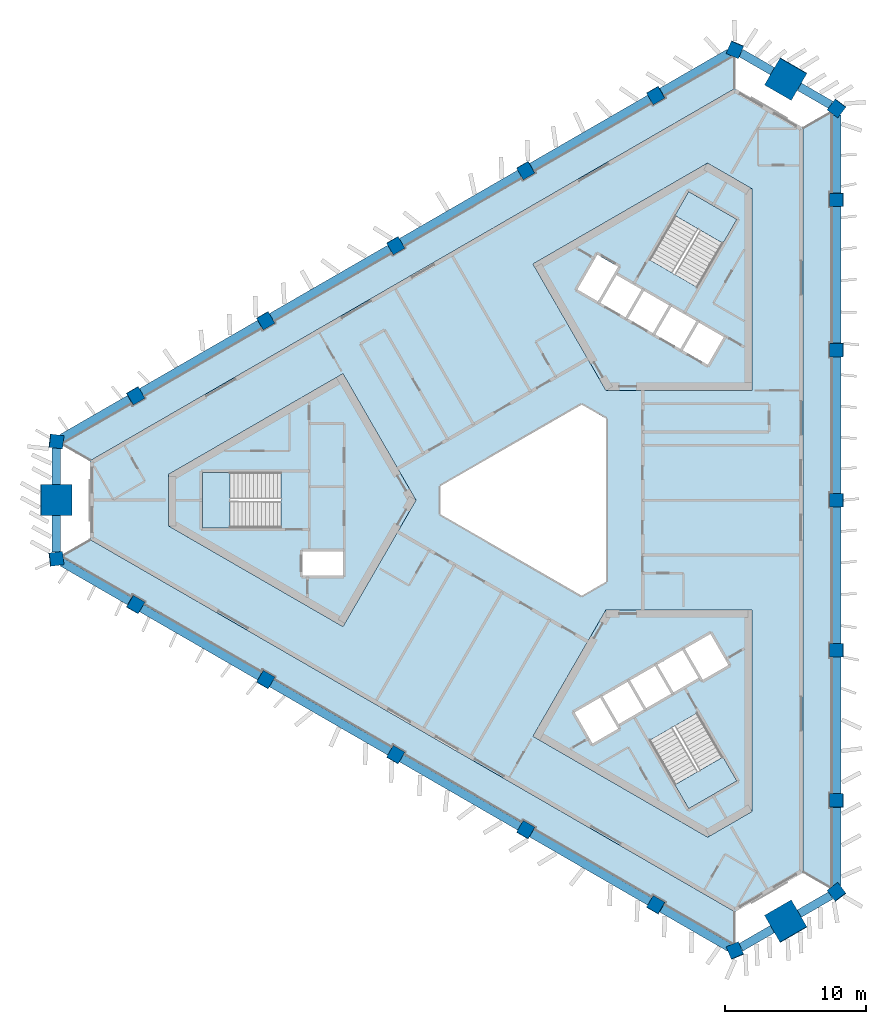
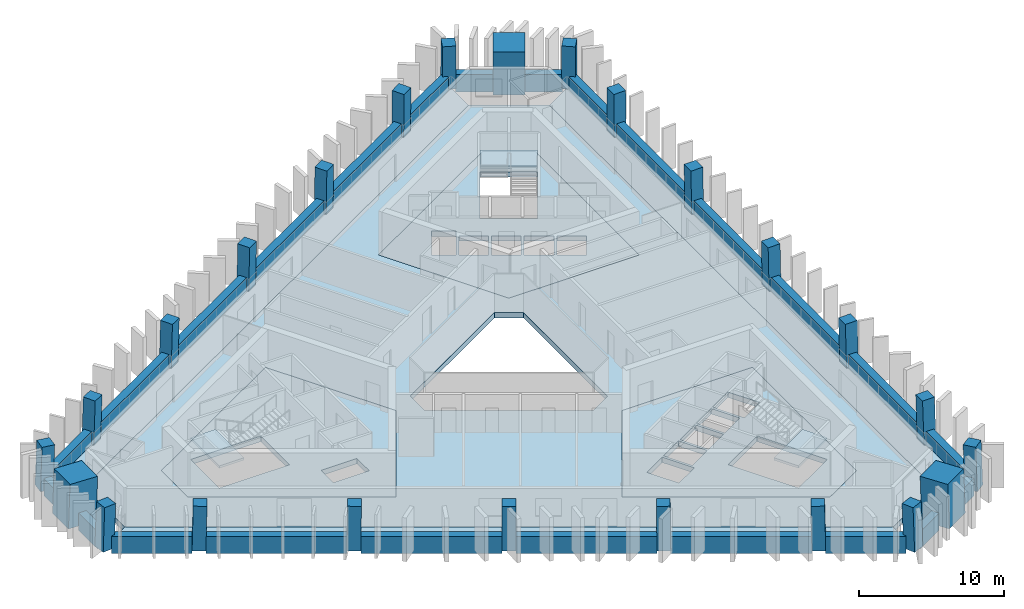
# One storey, part 1 of 9: 24 beams, 24 columns, 10 slabs, 3 elements without a shape of their own.
"""IFC4 building model written with IfcOpenShell, lengths in metres."""

from ifc_helpers import new_model, si_unit, direction, frame, origin, origin_2d, place, context, subcontext, project, spatial, polyline, rectangle, outline, extrude, material, layer, layer_set, material_profile, profile_set, type_object, element, aggregate, save


model = new_model("IFC4")

# Units and contexts
model_context = context("Model", 3, precision=1e-05, world=origin(), true_north=direction((0.0, 1.0)))
body_context = subcontext(model_context, "Body", "Model", "MODEL_VIEW")
ifc_project = project(units=[si_unit("LENGTHUNIT", "METRE"), si_unit("AREAUNIT", "SQUARE_METRE"), si_unit("VOLUMEUNIT", "CUBIC_METRE"), si_unit("PLANEANGLEUNIT", "RADIAN"), si_unit("MASSUNIT", "GRAM", prefix="KILO")], contexts=[model_context])

# Site, building, storey
site_placement = place(None, origin())
site = spatial("IfcSite", under=ifc_project, at=site_placement, CompositionType="ELEMENT")
building_placement = place(site_placement, origin())
building = spatial("IfcBuilding", under=site, at=building_placement, Name="Jabali Bay Hotel Tower and Convention Centre", CompositionType="ELEMENT")
storey_placement = place(building_placement, frame((0.0, 0.0, 185.89990234375)))
storey = spatial("IfcBuildingStorey", under=building, at=storey_placement, Name="L45", CompositionType="ELEMENT", Elevation=185.89990234375)

# Columns
ifc_material_1 = material(Name="Concrete C60", Category="concrete")
ifc_material_profile_1 = material_profile(ifc_material_1, rectangle(XDim=0.949951171875, YDim=0.949951171875, at=origin_2d()), Name="Frame column 950")
ifc_profile_set_1 = profile_set([ifc_material_profile_1], Name="Concrete C60")
column_type_1 = type_object("IfcColumnType", Name="Frame column 950", PredefinedType="COLUMN", material=ifc_profile_set_1)
column_1_placement = place(storey_placement, frame((83.04248046875, 108.779541015625, 0.0), z_axis=(-0.008375902173, -0.028161497857, 0.999568293966), x_axis=(0.865853502454, 0.499842384621, 0.021337826144)))
element("IfcColumn", 1, at=column_1_placement, inside=storey, type_object=column_type_1, Name="FC4 F1.1 L45", PredefinedType="COLUMN", context=body_context, shape_type="SweptSolid", body=[
    extrude(rectangle(XDim=0.949951171875, YDim=0.949951171875, at=origin_2d()), origin(), (0.0, 0.0, 1.0), 3.701904296875),
])
column_2_placement = place(storey_placement, frame((73.795654296875, 103.44091796875, 0.0), z_axis=(0.000857522362, -0.02282328747, 0.99973914708), x_axis=(0.866060219166, 0.499825864794, 0.010667786116)))
element("IfcColumn", 2, at=column_2_placement, inside=storey, type_object=column_type_1, Name="FC4 F1.2 L45", PredefinedType="COLUMN", context=body_context, shape_type="SweptSolid", body=[
    extrude(rectangle(XDim=0.949951171875, YDim=0.949951171875, at=origin_2d()), origin(), (0.0, 0.0, 1.0), 3.701171875),
])
column_3_placement = place(storey_placement, frame((64.548828125, 98.10205078125, 0.0), z_axis=(0.010092954999, -0.017481261926, 0.999796248113), x_axis=(-0.499897099477, 0.865849541015, 0.020185694417)))
element("IfcColumn", 3, at=column_3_placement, inside=storey, type_object=column_type_1, Name="FC4 F1.3 L45", PredefinedType="COLUMN", context=body_context, shape_type="SweptSolid", body=[
    extrude(rectangle(XDim=0.949951171875, YDim=0.949951171875, at=origin_2d()), origin(), (0.0, 0.0, 1.0), 3.700927734375),
])
column_4_placement = place(storey_placement, frame((55.3017578125, 92.763427734375, 0.0), z_axis=(0.019327242333, -0.012137244332, 0.999739538582), x_axis=(-0.500214328423, 0.865666448646, 0.020179824807)))
element("IfcColumn", 4, at=column_4_placement, inside=storey, type_object=column_type_1, Name="FC4 F1.4 L45", PredefinedType="COLUMN", context=body_context, shape_type="SweptSolid", body=[
    extrude(rectangle(XDim=0.949951171875, YDim=0.949951171875, at=origin_2d()), origin(), (0.0, 0.0, 1.0), 3.701171875),
])
for number, where, z_axis, x_axis, name in (
    (5, (46.054931640625, 87.4248046875, 0.0), (0.028557219273, -0.006859008786, 0.999568626571), (-0.498515256127, 0.866645794777, 0.020189249707), "FC4 F1.5 L45"),
    (6, (46.054931640625, 72.5751953125, 0.0), (0.028557219273, 0.006859008786, 0.999568626571), (-0.86641042505, 0.498876758723, 0.021329673472), "FC4 F2.1 L45"),
):
    element("IfcColumn", number, at=place(storey_placement, frame(where, z_axis=z_axis, x_axis=x_axis)), inside=storey, type_object=column_type_1, Name=name, PredefinedType="COLUMN", context=body_context, shape_type="SweptSolid", body=[
        extrude(rectangle(XDim=0.949951171875, YDim=0.949951171875, at=origin_2d()), origin(), (0.0, 0.0, 1.0), 3.701904296875),
    ])
column_5_placement = place(storey_placement, frame((55.3017578125, 67.236572265625, 0.0), z_axis=(0.019327242333, 0.012137244332, 0.999739538582), x_axis=(-0.865685903399, 0.500474062253, 0.01065972171)))
element("IfcColumn", 7, at=column_5_placement, inside=storey, type_object=column_type_1, Name="FC4 F2.2 L45", PredefinedType="COLUMN", context=body_context, shape_type="SweptSolid", body=[
    extrude(rectangle(XDim=0.949951171875, YDim=0.949951171875, at=origin_2d()), origin(), (0.0, 0.0, 1.0), 3.701171875),
])
column_6_placement = place(storey_placement, frame((64.548828125, 61.89794921875, 0.0), z_axis=(0.010092954999, 0.017481261926, 0.999796248113), x_axis=(-0.866025993948, 0.499998977805, 1.48321e-07)))
element("IfcColumn", 8, at=column_6_placement, inside=storey, type_object=column_type_1, Name="FC4 F2.3 L45", PredefinedType="COLUMN", context=body_context, shape_type="SweptSolid", body=[
    extrude(rectangle(XDim=0.949951171875, YDim=0.949951171875, at=origin_2d()), origin(), (0.0, 0.0, 1.0), 3.700927734375),
])
column_7_placement = place(storey_placement, frame((73.795654296875, 56.55908203125, 0.0), z_axis=(0.000857522362, 0.02282328747, 0.99973914708), x_axis=(-0.499938957707, -0.865825156964, 0.020194953204)))
element("IfcColumn", 9, at=column_7_placement, inside=storey, type_object=column_type_1, Name="FC4 F2.4 L45", PredefinedType="COLUMN", context=body_context, shape_type="SweptSolid", body=[
    extrude(rectangle(XDim=0.949951171875, YDim=0.949951171875, at=origin_2d()), origin(), (0.0, 0.0, 1.0), 3.701171875),
])
for number, where, z_axis, x_axis, name in (
    (10, (83.04248046875, 51.220458984375, 0.0), (-0.008375902173, 0.028161497857, 0.999568293966), (-0.500227504793, -0.865658431816, 0.020197100638), "FC4 F2.5 L45"),
    (11, (95.902587890625, 58.64501953125, 0.0), (-0.020181300839, 0.021368436182, 0.999567959186), (-0.001315263592, -0.99977127817, 0.021346227466), "FC4 F0.1 L45"),
):
    element("IfcColumn", number, at=place(storey_placement, frame(where, z_axis=z_axis, x_axis=x_axis)), inside=storey, type_object=column_type_1, Name=name, PredefinedType="COLUMN", context=body_context, shape_type="SweptSolid", body=[
        extrude(rectangle(XDim=0.949951171875, YDim=0.949951171875, at=origin_2d()), origin(), (0.0, 0.0, 1.0), 3.701904296875),
    ])
column_8_placement = place(storey_placement, frame((95.902587890625, 69.322509765625, 0.0), z_axis=(-0.020184757346, 0.010686048007, 0.999739157955), x_axis=(-0.001023362508, -0.999942576291, 0.010667560599)))
element("IfcColumn", 12, at=column_8_placement, inside=storey, type_object=column_type_1, Name="FC4 F0.2 L45", PredefinedType="COLUMN", context=body_context, shape_type="SweptSolid", body=[
    extrude(rectangle(XDim=0.949951171875, YDim=0.949951171875, at=origin_2d()), origin(), (0.0, 0.0, 1.0), 3.701171875),
])
column_9_placement = place(storey_placement, frame((95.902587890625, 80.0, 0.0), z_axis=(-0.02018590991, 0.0, 0.999796243762), x_axis=(0.0, -1.0, 0.0)))
element("IfcColumn", 13, at=column_9_placement, inside=storey, type_object=column_type_1, Name="FC4 F0.3 L45", PredefinedType="COLUMN", context=body_context, shape_type="SweptSolid", body=[
    extrude(rectangle(XDim=0.949951171875, YDim=0.949951171875, at=origin_2d()), origin(), (0.0, 0.0, 1.0), 3.700927734375),
])
column_10_placement = place(storey_placement, frame((95.902587890625, 90.677490234375, 0.0), z_axis=(-0.020184757346, -0.010686048007, 0.999739157955), x_axis=(0.99979574329, 0.00080777345, 0.020194533963)))
element("IfcColumn", 14, at=column_10_placement, inside=storey, type_object=column_type_1, Name="FC4 F0.4 L45", PredefinedType="COLUMN", context=body_context, shape_type="SweptSolid", body=[
    extrude(rectangle(XDim=0.949951171875, YDim=0.949951171875, at=origin_2d()), origin(), (0.0, 0.0, 1.0), 3.701171875),
])
column_11_placement = place(storey_placement, frame((95.902587890625, 101.35498046875, 0.0), z_axis=(-0.020181300839, -0.021368436182, 0.999567959186), x_axis=(0.999795471673, 0.000883900706, 0.020204790061)))
element("IfcColumn", 15, at=column_11_placement, inside=storey, type_object=column_type_1, Name="FC4 F0.5 L45", PredefinedType="COLUMN", context=body_context, shape_type="SweptSolid", body=[
    extrude(rectangle(XDim=0.949951171875, YDim=0.949951171875, at=origin_2d()), origin(), (0.0, 0.0, 1.0), 3.701904296875),
])
for number, where, z_axis, x_axis, name in (
    (16, (95.902587890625, 52.1396484375, 0.0), (-0.020177412175, 0.029013272408, 0.999375355941), (-0.800007185645, -0.599989082601, 0.001266362994), "FC4 V0 L45"),
    (17, (95.902587890625, 107.8603515625, 0.0), (-0.020177412175, -0.029013272408, 0.999375355941), (0.59965104432, 0.799481913982, 0.035317053425), "FC4 V1 L45"),
    (18, (88.676513671875, 112.0322265625, 0.0), (-0.01503415113, -0.031980540781, 0.999375414602), (0.919640861257, -0.392758301091, 0.001266187671), "FC4 V2 L45"),
    (19, (40.4208984375, 84.171875, 0.0), (0.035211566633, -0.002967266851, 0.999375475436), (-0.992196968265, 0.119574748949, 0.035313674106), "FC4 V3 L45"),
    (20, (40.4208984375, 75.828125, 0.0), (0.035211566633, 0.002967266851, 0.999375475436), (-0.119604856675, 0.992820766675, 0.001266301067), "FC4 V4 L45"),
    (21, (88.676513671875, 47.9677734375, 0.0), (-0.01503415113, 0.031980540781, 0.999375414602), (0.392472496625, -0.91908550306, 0.035315399724), "FC4 V5 L45"),
):
    element("IfcColumn", number, at=place(storey_placement, frame(where, z_axis=z_axis, x_axis=x_axis)), inside=storey, type_object=column_type_1, Name=name, PredefinedType="COLUMN", context=body_context, shape_type="SweptSolid", body=[
        extrude(rectangle(XDim=0.949951171875, YDim=0.949951171875, at=origin_2d()), origin(), (0.0, 0.0, 1.0), 3.702392578125),
    ])
ifc_material_2 = material(Name="Concrete C70", Category="concrete")
ifc_material_profile_2 = material_profile(ifc_material_2, rectangle(XDim=2.199951171875, YDim=2.199951171875, at=origin_2d()), Name="Mega column 2200")
ifc_profile_set_2 = profile_set([ifc_material_profile_2], Name="Concrete C70")
column_type_2 = type_object("IfcColumnType", Name="Mega column 2200", PredefinedType="COLUMN", material=ifc_profile_set_2)
for number, where, z_axis, x_axis, name in (
    (22, (92.28955078125, 109.9462890625, 0.0), (-0.017605877014, -0.030464101799, 0.99938079409), (0.865814309162, -0.500365448498, 2.3643e-07), "MC4 M1 L45"),
    (23, (40.4208984375, 80.0, 0.0), (0.035211721647, 0.0, 0.999379875052), (0.0, 1.0, 0.0), "MC4 M0 L45"),
    (24, (92.28955078125, 50.0537109375, 0.0), (-0.017605877014, 0.030464101799, 0.99938079409), (0.500055612053, -0.865278195987, 0.035185627802), "MC4 M2 L45"),
):
    element("IfcColumn", number, at=place(storey_placement, frame(where, z_axis=z_axis, x_axis=x_axis)), inside=storey, type_object=column_type_2, Name=name, PredefinedType="COLUMN", context=body_context, shape_type="SweptSolid", body=[
        extrude(rectangle(XDim=2.199951171875, YDim=2.199951171875, at=origin_2d()), origin(), (0.0, 0.0, 1.0), 3.702392578125),
    ])

# Beams
ifc_material_profile_3 = material_profile(ifc_material_1, rectangle(XDim=0.60009765625, YDim=1.449951171875, at=origin_2d()), Name="Spandrel 600x1450")
ifc_profile_set_3 = profile_set([ifc_material_profile_3], Name="Concrete C60")
beam_type = type_object("IfcBeamType", Name="Spandrel 600x1450", PredefinedType="SPANDREL", material=ifc_profile_set_3)
beam_1_placement = place(storey_placement, frame((91.330322265625, 110.48486328125, 0.375), z_axis=(-0.866035229914, 0.499982980259, 0.0), x_axis=(-0.499982980259, -0.866035229914, 0.0)))
element("IfcBeam", 25, at=beam_1_placement, inside=storey, type_object=beam_type, Name="Spandrel M1-V2 L45", PredefinedType="SPANDREL", context=body_context, shape_type="SweptSolid", body=[
    extrude(rectangle(XDim=0.60009765625, YDim=1.449951171875, at=origin_2d()), origin(), (0.0, 0.0, 1.0), 2.595703125),
])
beam_2_placement = place(storey_placement, frame((88.259521484375, 111.78271484375, 0.375), z_axis=(-0.866045741393, -0.499964772574, 0.0), x_axis=(0.499964772574, -0.866045741393, 0.0)))
element("IfcBeam", 26, at=beam_2_placement, inside=storey, type_object=beam_type, Name="Spandrel V2-F1.1 L45", PredefinedType="SPANDREL", context=body_context, shape_type="SweptSolid", body=[
    extrude(rectangle(XDim=0.60009765625, YDim=1.449951171875, at=origin_2d()), origin(), (0.0, 0.0, 1.0), 5.552734375),
])
beam_3_placement = place(storey_placement, frame((82.628173828125, 108.531494140625, 0.375), z_axis=(-0.866025028533, -0.500000649954, 0.0), x_axis=(0.500000649954, -0.866025028533, 0.0)))
element("IfcBeam", 27, at=beam_3_placement, inside=storey, type_object=beam_type, Name="Spandrel F1.1-F1.2 L45", PredefinedType="SPANDREL", context=body_context, shape_type="SweptSolid", body=[
    extrude(rectangle(XDim=0.60009765625, YDim=1.449951171875, at=origin_2d()), origin(), (0.0, 0.0, 1.0), 9.7236328125),
])
for number, where, z_axis, x_axis, name in (
    (28, (73.384521484375, 103.19482421875, 0.375), (-0.866018751313, -0.500011522242, 0.0), (0.500011522242, -0.866018751313, 0.0), "Spandrel F1.2-F1.3 L45"),
    (29, (64.14111328125, 97.858154296875, 0.375), (-0.866018751313, -0.500011522242, 0.0), (0.500011522242, -0.866018751313, 0.0), "Spandrel F1.3-F1.4 L45"),
    (30, (54.897705078125, 92.521240234375, 0.375), (-0.86602962373, -0.499992690769, 0.0), (0.499992690769, -0.86602962373, 0.0), "Spandrel F1.4-F1.5 L45"),
):
    element("IfcBeam", number, at=place(storey_placement, frame(where, z_axis=z_axis, x_axis=x_axis)), inside=storey, type_object=beam_type, Name=name, PredefinedType="SPANDREL", context=body_context, shape_type="SweptSolid", body=[
        extrude(rectangle(XDim=0.60009765625, YDim=1.449951171875, at=origin_2d()), origin(), (0.0, 0.0, 1.0), 9.723388671875),
    ])
beam_4_placement = place(storey_placement, frame((45.654296875, 87.1845703125, 0.375), z_axis=(-0.866045741393, -0.499964772574, 0.0), x_axis=(0.499964772574, -0.866045741393, 0.0)))
element("IfcBeam", 31, at=beam_4_placement, inside=storey, type_object=beam_type, Name="Spandrel F1.5-V3 L45", PredefinedType="SPANDREL", context=body_context, shape_type="SweptSolid", body=[
    extrude(rectangle(XDim=0.60009765625, YDim=1.449951171875, at=origin_2d()), origin(), (0.0, 0.0, 1.0), 5.552734375),
])
for number, where, z_axis, x_axis, name in (
    (32, (40.43408203125, 83.69580078125, 0.375), (0.0, -1.0, 0.0), (1.0, 0.0, 0.0), "Spandrel V3-M0 L45"),
    (33, (40.43408203125, 78.89990234375, 0.375), (0.0, -1.0, 0.0), (1.0, 0.0, 0.0), "Spandrel M0-V4 L45"),
):
    element("IfcBeam", number, at=place(storey_placement, frame(where, z_axis=z_axis, x_axis=x_axis)), inside=storey, type_object=beam_type, Name=name, PredefinedType="SPANDREL", context=body_context, shape_type="SweptSolid", body=[
        extrude(rectangle(XDim=0.60009765625, YDim=1.449951171875, at=origin_2d()), origin(), (0.0, 0.0, 1.0), 2.595703125),
    ])
beam_5_placement = place(storey_placement, frame((40.845458984375, 75.591552734375, 0.375), z_axis=(0.866045741393, -0.499964772574, 0.0), x_axis=(0.499964772574, 0.866045741393, 0.0)))
element("IfcBeam", 34, at=beam_5_placement, inside=storey, type_object=beam_type, Name="Spandrel V4-F2.1 L45", PredefinedType="SPANDREL", context=body_context, shape_type="SweptSolid", body=[
    extrude(rectangle(XDim=0.60009765625, YDim=1.449951171875, at=origin_2d()), origin(), (0.0, 0.0, 1.0), 5.552734375),
])
for number, where, z_axis, x_axis, name in (
    (35, (46.47705078125, 72.34033203125, 0.375), (0.86602962373, -0.499992690769, 0.0), (0.499992690769, 0.86602962373, 0.0), "Spandrel F2.1-F2.2 L45"),
    (36, (55.720458984375, 67.003662109375, 0.375), (0.866018751313, -0.500011522242, 0.0), (0.500011522242, 0.866018751313, 0.0), "Spandrel F2.2-F2.3 L45"),
    (37, (64.9638671875, 61.6669921875, 0.375), (0.866018751313, -0.500011522242, 0.0), (0.500011522242, 0.866018751313, 0.0), "Spandrel F2.3-F2.4 L45"),
):
    element("IfcBeam", number, at=place(storey_placement, frame(where, z_axis=z_axis, x_axis=x_axis)), inside=storey, type_object=beam_type, Name=name, PredefinedType="SPANDREL", context=body_context, shape_type="SweptSolid", body=[
        extrude(rectangle(XDim=0.60009765625, YDim=1.449951171875, at=origin_2d()), origin(), (0.0, 0.0, 1.0), 9.723388671875),
    ])
beam_6_placement = place(storey_placement, frame((74.207275390625, 56.330322265625, 0.375), z_axis=(0.866025028533, -0.500000649954, 0.0), x_axis=(0.500000649954, 0.866025028533, 0.0)))
element("IfcBeam", 38, at=beam_6_placement, inside=storey, type_object=beam_type, Name="Spandrel F2.4-F2.5 L45", PredefinedType="SPANDREL", context=body_context, shape_type="SweptSolid", body=[
    extrude(rectangle(XDim=0.60009765625, YDim=1.449951171875, at=origin_2d()), origin(), (0.0, 0.0, 1.0), 9.7236328125),
])
beam_7_placement = place(storey_placement, frame((83.45068359375, 50.993408203125, 0.375), z_axis=(0.866045741393, -0.499964772574, 0.0), x_axis=(0.499964772574, 0.866045741393, 0.0)))
element("IfcBeam", 39, at=beam_7_placement, inside=storey, type_object=beam_type, Name="Spandrel F2.5-V5 L45", PredefinedType="SPANDREL", context=body_context, shape_type="SweptSolid", body=[
    extrude(rectangle(XDim=0.60009765625, YDim=1.449951171875, at=origin_2d()), origin(), (0.0, 0.0, 1.0), 5.552734375),
])
for number, where, z_axis, x_axis, name in (
    (40, (89.082275390625, 48.21728515625, 0.375), (0.866035229914, 0.499982980259, 0.0), (-0.499982980259, 0.866035229914, 0.0), "Spandrel V5-M2 L45"),
    (41, (93.235595703125, 50.615234375, 0.375), (0.866035229914, 0.499982980259, 0.0), (-0.499982980259, 0.866035229914, 0.0), "Spandrel M2-V0 L45"),
):
    element("IfcBeam", number, at=place(storey_placement, frame(where, z_axis=z_axis, x_axis=x_axis)), inside=storey, type_object=beam_type, Name=name, PredefinedType="SPANDREL", context=body_context, shape_type="SweptSolid", body=[
        extrude(rectangle(XDim=0.60009765625, YDim=1.449951171875, at=origin_2d()), origin(), (0.0, 0.0, 1.0), 2.595703125),
    ])
beam_8_placement = place(storey_placement, frame((95.89501953125, 52.62548828125, 0.375), z_axis=(0.0, 1.0, 0.0), x_axis=(-1.0, 0.0, 0.0)))
element("IfcBeam", 42, at=beam_8_placement, inside=storey, type_object=beam_type, Name="Spandrel V0-F0.1 L45", PredefinedType="SPANDREL", context=body_context, shape_type="SweptSolid", body=[
    extrude(rectangle(XDim=0.60009765625, YDim=1.449951171875, at=origin_2d()), origin(), (0.0, 0.0, 1.0), 5.552734375),
])
for number, where, z_axis, x_axis, name in (
    (43, (95.89501953125, 59.128173828125, 0.375), (0.0, 1.0, 0.0), (-1.0, 0.0, 0.0), "Spandrel F0.1-F0.2 L45"),
    (44, (95.89501953125, 69.801513671875, 0.375), (0.0, 1.0, 0.0), (-1.0, 0.0, 0.0), "Spandrel F0.2-F0.3 L45"),
    (45, (95.89501953125, 80.47509765625, 0.375), (0.0, 1.0, 0.0), (-1.0, 0.0, 0.0), "Spandrel F0.3-F0.4 L45"),
    (46, (95.89501953125, 91.1484375, 0.375), (0.0, 1.0, 0.0), (-1.0, 0.0, 0.0), "Spandrel F0.4-F0.5 L45"),
):
    element("IfcBeam", number, at=place(storey_placement, frame(where, z_axis=z_axis, x_axis=x_axis)), inside=storey, type_object=beam_type, Name=name, PredefinedType="SPANDREL", context=body_context, shape_type="SweptSolid", body=[
        extrude(rectangle(XDim=0.60009765625, YDim=1.449951171875, at=origin_2d()), origin(), (0.0, 0.0, 1.0), 9.723388671875),
    ])
beam_9_placement = place(storey_placement, frame((95.89501953125, 101.82177734375, 0.375), z_axis=(0.0, 1.0, 0.0), x_axis=(-1.0, 0.0, 0.0)))
element("IfcBeam", 47, at=beam_9_placement, inside=storey, type_object=beam_type, Name="Spandrel F0.5-V1 L45", PredefinedType="SPANDREL", context=body_context, shape_type="SweptSolid", body=[
    extrude(rectangle(XDim=0.60009765625, YDim=1.449951171875, at=origin_2d()), origin(), (0.0, 0.0, 1.0), 5.552734375),
])
beam_10_placement = place(storey_placement, frame((95.483642578125, 108.0869140625, 0.375), z_axis=(-0.866035229914, 0.499982980259, 0.0), x_axis=(-0.499982980259, -0.866035229914, 0.0)))
element("IfcBeam", 48, at=beam_10_placement, inside=storey, type_object=beam_type, Name="Spandrel V1-M1 L45", PredefinedType="SPANDREL", context=body_context, shape_type="SweptSolid", body=[
    extrude(rectangle(XDim=0.60009765625, YDim=1.449951171875, at=origin_2d()), origin(), (0.0, 0.0, 1.0), 2.595703125),
])

# Slabs
ifc_material_3 = material(Name="Concrete C40", Category="concrete")
ifc_layer_1 = layer(ifc_material_3, 0.449951171875)
ifc_layer_set_1 = layer_set([ifc_layer_1], Name="Concrete C40")
slab_type_1 = type_object("IfcSlabType", Name="Core floor slab 450", PredefinedType="FLOOR", material=ifc_layer_set_1)
slab_1_placement = place(storey_placement, frame((0.0, 0.0, -0.449951171875)))
element("IfcSlab", 49, at=slab_1_placement, inside=storey, type_object=slab_type_1, Name="Core floor slab 1 L45", PredefinedType="FLOOR", context=body_context, shape_type="SweptSolid", body=[
    extrude(outline(polyline([(66.0, 80.0), (60.81005859375, 88.9892578125), (48.39697265625, 81.82275390625), (48.39697265625, 78.17724609375), (60.81005859375, 71.0107421875), (66.0, 80.0)]), holes=[polyline([(60.800048828125, 76.35009765625), (57.949951171875, 76.35009765625), (57.949951171875, 74.64990234375), (60.800048828125, 74.64990234375), (60.800048828125, 76.35009765625)]), polyline([(50.820068359375, 81.97509765625), (50.820068359375, 78.02490234375), (56.409912109375, 78.02490234375), (56.409912109375, 81.97509765625), (50.820068359375, 81.97509765625)])]), origin(), (0.0, 0.0, 1.0), 0.449951171875),
])
slab_2_placement = place(storey_placement, frame((0.0, 0.0, -0.449951171875)))
element("IfcSlab", 50, at=slab_2_placement, inside=storey, type_object=slab_type_1, Name="Core floor slab 2 L45", PredefinedType="FLOOR", context=body_context, shape_type="SweptSolid", body=[
    extrude(outline(polyline([(79.5, 87.794189453125), (89.8798828125, 87.794189453125), (89.8798828125, 102.127685546875), (86.72314453125, 103.9501953125), (74.31005859375, 96.78369140625), (79.5, 87.794189453125)]), holes=[polyline([(84.957763671875, 90.6474609375), (86.733154296875, 89.62255859375), (87.873291015625, 91.59716796875), (86.097900390625, 92.6220703125), (84.957763671875, 90.6474609375)]), polyline([(84.1494140625, 93.7470703125), (83.00927734375, 91.7724609375), (84.78466796875, 90.74755859375), (85.924560546875, 92.72216796875), (84.1494140625, 93.7470703125)]), polyline([(82.20068359375, 94.8720703125), (81.060791015625, 92.8974609375), (82.836181640625, 91.87255859375), (83.97607421875, 93.84716796875), (82.20068359375, 94.8720703125)]), polyline([(79.1123046875, 94.0224609375), (80.887451171875, 92.99755859375), (82.027587890625, 94.97216796875), (80.252197265625, 95.9970703125), (79.1123046875, 94.0224609375)]), polyline([(78.891845703125, 97.440673828125), (77.466796875, 94.97265625), (78.93896484375, 94.12255859375), (80.364013671875, 96.5908203125), (78.891845703125, 97.440673828125)]), polyline([(82.584716796875, 97.0869140625), (86.00537109375, 95.11181640625), (88.80029296875, 99.952880859375), (85.379638671875, 101.927978515625), (82.584716796875, 97.0869140625)])]), origin(), (0.0, 0.0, 1.0), 0.449951171875),
])
slab_3_placement = place(storey_placement, frame((0.0, 0.0, -0.449951171875)))
element("IfcSlab", 51, at=slab_3_placement, inside=storey, type_object=slab_type_1, Name="Core floor slab 3 L45", PredefinedType="FLOOR", context=body_context, shape_type="SweptSolid", body=[
    extrude(outline(polyline([(79.5, 72.205810546875), (74.31005859375, 63.21630859375), (86.72314453125, 56.0498046875), (89.8798828125, 57.872314453125), (89.8798828125, 72.205810546875), (79.5, 72.205810546875)]), holes=[polyline([(82.584716796875, 62.9130859375), (85.379638671875, 58.072021484375), (88.80029296875, 60.047119140625), (86.00537109375, 64.88818359375), (82.584716796875, 62.9130859375)]), polyline([(80.365478515625, 63.756591796875), (79.090576171875, 65.96484375), (77.27197265625, 64.9150390625), (78.546875, 62.70654296875), (80.365478515625, 63.756591796875)]), polyline([(82.17919921875, 65.115478515625), (81.0390625, 67.08984375), (79.263671875, 66.06494140625), (80.40380859375, 64.09033203125), (82.17919921875, 65.115478515625)]), polyline([(82.98779296875, 68.21484375), (81.21240234375, 67.18994140625), (82.352294921875, 65.21533203125), (84.127685546875, 66.240478515625), (82.98779296875, 68.21484375)]), polyline([(86.076171875, 67.365478515625), (84.936279296875, 69.33984375), (83.160888671875, 68.31494140625), (84.30078125, 66.34033203125), (86.076171875, 67.365478515625)]), polyline([(88.203125, 68.281494140625), (86.927978515625, 70.489990234375), (85.109375, 69.43994140625), (86.384521484375, 67.231689453125), (88.203125, 68.281494140625)])]), origin(), (0.0, 0.0, 1.0), 0.449951171875),
])
ifc_layer_2 = layer(ifc_material_3, 0.199951171875)
ifc_layer_set_2 = layer_set([ifc_layer_2], Name="Concrete C40")
slab_type_2 = type_object("IfcSlabType", Name="Loggia slab 200", PredefinedType="FLOOR", material=ifc_layer_set_2)
slab_4_placement = place(storey_placement, frame((0.0, 0.0, -0.199951171875)))
element("IfcSlab", 52, at=slab_4_placement, inside=storey, type_object=slab_type_2, Name="Loggia slab east face L45", PredefinedType="FLOOR", context=body_context, shape_type="SweptSolid", body=[
    extrude(outline(polyline([(93.50244140625, 106.474609375), (95.455322265625, 107.60205078125), (95.6025390625, 107.491455078125), (95.6025390625, 101.829833984375), (95.427490234375, 101.829833984375), (95.427490234375, 100.8798828125), (95.6025390625, 100.8798828125), (95.6025390625, 91.15234375), (95.427490234375, 91.15234375), (95.427490234375, 90.202392578125), (95.6025390625, 90.202392578125), (95.6025390625, 80.47509765625), (95.427490234375, 80.47509765625), (95.427490234375, 79.52490234375), (95.6025390625, 79.52490234375), (95.6025390625, 69.797607421875), (95.427490234375, 69.797607421875), (95.427490234375, 68.84765625), (95.6025390625, 68.84765625), (95.6025390625, 59.1201171875), (95.427490234375, 59.1201171875), (95.427490234375, 58.170166015625), (95.6025390625, 58.170166015625), (95.6025390625, 52.508544921875), (95.455322265625, 52.39794921875), (93.50244140625, 53.525390625), (93.50244140625, 106.474609375)])), origin(), (0.0, 0.0, 1.0), 0.199951171875),
])
slab_5_placement = place(storey_placement, frame((0.0, 0.0, -0.199951171875)))
element("IfcSlab", 53, at=slab_5_placement, inside=storey, type_object=slab_type_2, Name="Loggia slab north-west face L45", PredefinedType="FLOOR", context=body_context, shape_type="SweptSolid", body=[
    extrude(outline(polyline([(42.821044921875, 82.786376953125), (40.8681640625, 83.913818359375), (40.890380859375, 84.096435546875), (45.79345703125, 86.927490234375), (45.881103515625, 86.77587890625), (46.703857421875, 87.250732421875), (46.6162109375, 87.40234375), (55.04052734375, 92.26611328125), (55.1279296875, 92.114501953125), (55.95068359375, 92.589599609375), (55.86328125, 92.7412109375), (64.287353515625, 97.604736328125), (64.374755859375, 97.453369140625), (65.197509765625, 97.92822265625), (65.110107421875, 98.079833984375), (73.5341796875, 102.943603515625), (73.621826171875, 102.7919921875), (74.444580078125, 103.26708984375), (74.35693359375, 103.41845703125), (82.78125, 108.2822265625), (82.86865234375, 108.130615234375), (83.69140625, 108.605712890625), (83.60400390625, 108.75732421875), (88.507080078125, 111.588134765625), (88.676513671875, 111.515869140625), (88.676513671875, 109.260986328125), (42.821044921875, 82.786376953125)])), origin(), (0.0, 0.0, 1.0), 0.199951171875),
])
slab_6_placement = place(storey_placement, frame((0.0, 0.0, -0.199951171875)))
element("IfcSlab", 54, at=slab_6_placement, inside=storey, type_object=slab_type_2, Name="Loggia slab south-west face L45", PredefinedType="FLOOR", context=body_context, shape_type="SweptSolid", body=[
    extrude(outline(polyline([(88.676513671875, 50.739013671875), (88.676513671875, 48.484130859375), (88.507080078125, 48.411865234375), (83.60400390625, 51.24267578125), (83.69140625, 51.394287109375), (82.86865234375, 51.869384765625), (82.78125, 51.7177734375), (74.35693359375, 56.58154296875), (74.444580078125, 56.73291015625), (73.621826171875, 57.2080078125), (73.5341796875, 57.056396484375), (65.110107421875, 61.920166015625), (65.197509765625, 62.07177734375), (64.374755859375, 62.546630859375), (64.287353515625, 62.395263671875), (55.86328125, 67.2587890625), (55.95068359375, 67.410400390625), (55.1279296875, 67.885498046875), (55.04052734375, 67.73388671875), (46.6162109375, 72.59765625), (46.703857421875, 72.749267578125), (45.881103515625, 73.22412109375), (45.79345703125, 73.072509765625), (40.890380859375, 75.903564453125), (40.8681640625, 76.086181640625), (42.821044921875, 77.213623046875), (88.676513671875, 50.739013671875)])), origin(), (0.0, 0.0, 1.0), 0.199951171875),
])
ifc_layer_3 = layer(ifc_material_3, 0.449951171875)
ifc_layer_set_3 = layer_set([ifc_layer_3], Name="Concrete C40")
slab_type_3 = type_object("IfcSlabType", Name="Post-tensioned flat slab 450", PredefinedType="FLOOR", material=ifc_layer_set_3)
slab_7_placement = place(storey_placement, frame((0.0, 0.0, -0.449951171875)))
element("IfcSlab", 55, at=slab_7_placement, inside=storey, type_object=slab_type_3, Name="Floor slab L45", PredefinedType="FLOOR", context=body_context, shape_type="SweptSolid", body=[
    extrude(outline(polyline([(88.676513671875, 109.260986328125), (93.50244140625, 106.474609375), (93.50244140625, 53.525390625), (88.676513671875, 50.739013671875), (42.821044921875, 77.213623046875), (42.821044921875, 82.786376953125), (88.676513671875, 109.260986328125)]), holes=[polyline([(67.73193359375, 79.0), (77.76806640625, 73.205810546875), (79.5, 74.205810546875), (79.5, 85.794189453125), (77.76806640625, 86.794189453125), (67.73193359375, 81.0), (67.73193359375, 79.0)]), polyline([(48.39697265625, 78.17724609375), (60.81005859375, 71.0107421875), (66.0, 80.0), (60.81005859375, 88.9892578125), (48.39697265625, 81.82275390625), (48.39697265625, 78.17724609375)]), polyline([(89.8798828125, 102.127685546875), (86.72314453125, 103.9501953125), (74.31005859375, 96.78369140625), (79.5, 87.794189453125), (89.8798828125, 87.794189453125), (89.8798828125, 102.127685546875)]), polyline([(74.31005859375, 63.21630859375), (86.72314453125, 56.0498046875), (89.8798828125, 57.872314453125), (89.8798828125, 72.205810546875), (79.5, 72.205810546875), (74.31005859375, 63.21630859375)])]), origin(), (0.0, 0.0, 1.0), 0.449951171875),
])

# Stair, slab
stair_type = type_object("IfcStairType", Name="Exit stair 1900", PredefinedType="HALF_TURN_STAIR", material=ifc_material_3)
stair_1_placement = place(storey_placement, origin())
stair_1 = element("IfcStair", 56, at=stair_1_placement, inside=storey, type_object=stair_type, Name="L45 Exit Stair 1", PredefinedType="HALF_TURN_STAIR")
ifc_layer_4 = layer(ifc_material_3, 0.199951171875)
ifc_layer_set_4 = layer_set([ifc_layer_4], Name="Concrete C40")
slab_type_4 = type_object("IfcSlabType", Name="Stair landing 200", PredefinedType="LANDING", material=ifc_layer_set_4)
slab_8_placement = place(storey_placement, frame((0.0, 0.0, 1.650146484375)))
slab_8 = element("IfcSlab", 57, at=slab_8_placement, type_object=slab_type_4, Name="ST1 landing 1", PredefinedType="LANDING", context=body_context, shape_type="SweptSolid", body=[
    extrude(outline(polyline([(52.782958984375, 81.97509765625), (50.820068359375, 81.97509765625), (50.820068359375, 78.02490234375), (52.782958984375, 78.02490234375), (52.782958984375, 81.97509765625)])), origin(), (0.0, 0.0, 1.0), 0.199951171875),
])
aggregate(stair_1, [slab_8])

stair_2_placement = place(storey_placement, origin())
stair_2 = element("IfcStair", 58, at=stair_2_placement, inside=storey, type_object=stair_type, Name="L45 Exit Stair 2", PredefinedType="HALF_TURN_STAIR")
slab_9_placement = place(storey_placement, frame((0.0, 0.0, 1.650146484375)))
slab_9 = element("IfcSlab", 59, at=slab_9_placement, type_object=slab_type_4, Name="ST2 landing 1", PredefinedType="LANDING", context=body_context, shape_type="SweptSolid", body=[
    extrude(outline(polyline([(87.81884765625, 98.2529296875), (88.80029296875, 99.952880859375), (85.379638671875, 101.927978515625), (84.398193359375, 100.22802734375), (87.81884765625, 98.2529296875)])), origin(), (0.0, 0.0, 1.0), 0.199951171875),
])
aggregate(stair_2, [slab_9])

stair_3_placement = place(storey_placement, origin())
stair_3 = element("IfcStair", 60, at=stair_3_placement, inside=storey, type_object=stair_type, Name="L45 Exit Stair 3", PredefinedType="HALF_TURN_STAIR")
slab_10_placement = place(storey_placement, frame((0.0, 0.0, 1.650146484375)))
slab_10 = element("IfcSlab", 61, at=slab_10_placement, type_object=slab_type_4, Name="ST3 landing 1", PredefinedType="LANDING", context=body_context, shape_type="SweptSolid", body=[
    extrude(outline(polyline([(84.398193359375, 59.77197265625), (85.379638671875, 58.072021484375), (88.80029296875, 60.047119140625), (87.81884765625, 61.7470703125), (84.398193359375, 59.77197265625)])), origin(), (0.0, 0.0, 1.0), 0.199951171875),
])
aggregate(stair_3, [slab_10])

save(model, "model.ifc")
